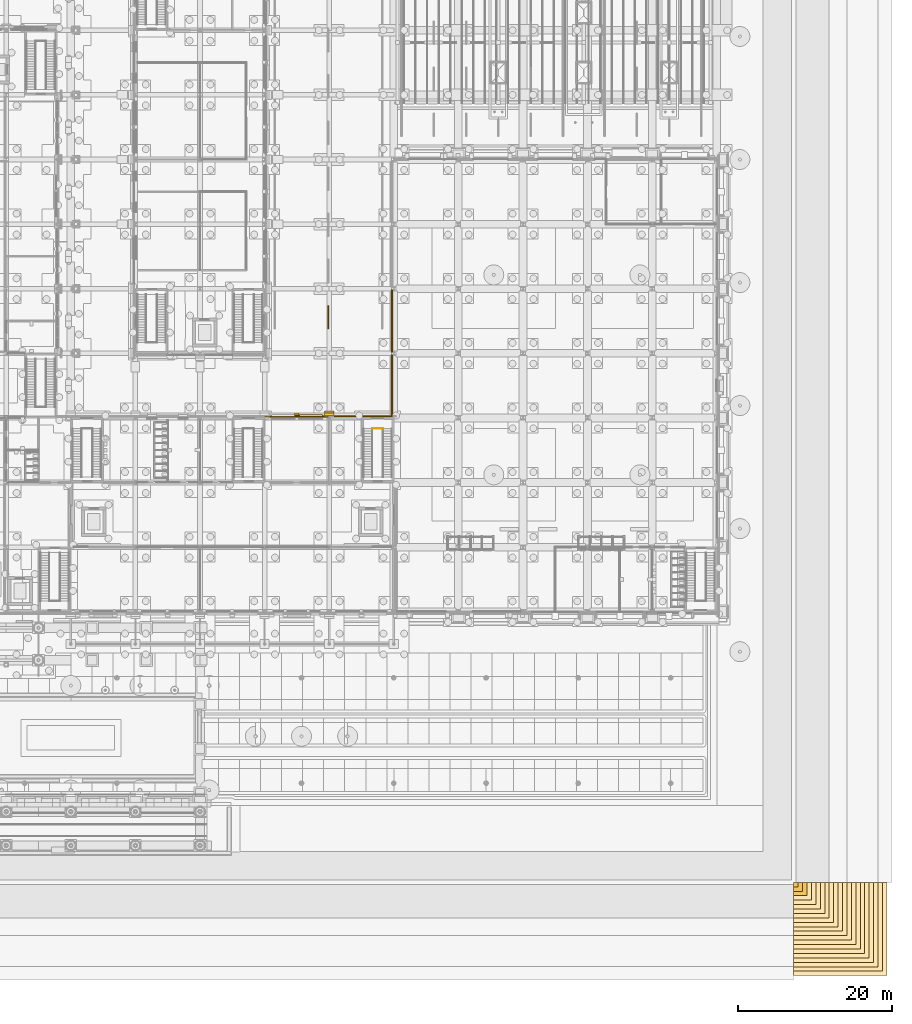
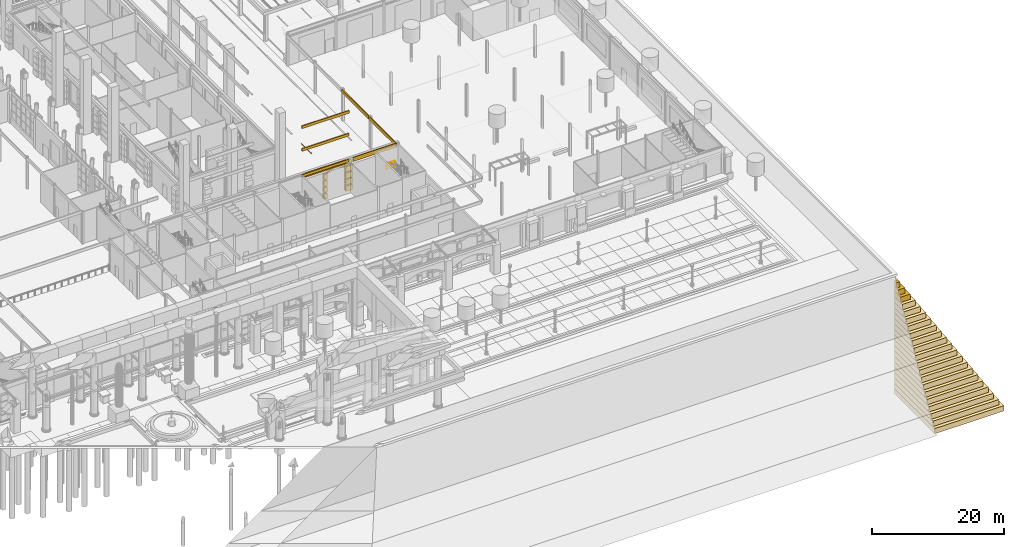
# One storey, part 165 of 222: 46 coverings, 1 railing.
"""IFC4 building model written with IfcOpenShell, lengths in metres."""

from ifc_helpers import new_model, si_unit, direction, frame, origin, origin_2d, place, context, subcontext, project, spatial, polyline, rectangle, circle, outline, extrude, material, layer, layer_set, type_object, element, save


model = new_model("IFC4")

# Units and contexts
model_context = context("Model", 3, precision=1e-05, world=origin(), true_north=direction((0.0, 1.0)))
body_context = subcontext(model_context, "Body", "Model", "MODEL_VIEW")
ifc_project = project(units=[si_unit("LENGTHUNIT", "METRE"), si_unit("AREAUNIT", "SQUARE_METRE"), si_unit("VOLUMEUNIT", "CUBIC_METRE"), si_unit("PLANEANGLEUNIT", "RADIAN"), si_unit("MASSUNIT", "GRAM", prefix="KILO")], contexts=[model_context])

# Site, building, storey
site_placement = place(None, origin())
site = spatial("IfcSite", under=ifc_project, at=site_placement, CompositionType="ELEMENT")
building_placement = place(site_placement, origin())
building = spatial("IfcBuilding", under=site, at=building_placement, Name="Sava Quay Ferry Terminal", CompositionType="ELEMENT")
storey_placement = place(building_placement, origin())
storey = spatial("IfcBuildingStorey", under=building, at=storey_placement, Name="L00", CompositionType="ELEMENT", Elevation=0.0)

# Covering
ifc_material_1 = material(Name="Limestone Mutalj", Category="masonry")
ifc_layer_1 = layer(ifc_material_1, 0.300048828125)
ifc_layer_set_1 = layer_set([ifc_layer_1], Name="Limestone Mutalj")
covering_type_1 = type_object("IfcCoveringType", Name="Arch band 280", PredefinedType="MOLDING", material=ifc_layer_set_1)
covering_1_placement = place(storey_placement, frame((113.699951171875, 50.56005859375, 4.5), z_axis=(0.0, -1.0, 0.0), x_axis=(0.782171011383, 0.0, 0.623063808091)))
element("IfcCovering", 1, at=covering_1_placement, inside=storey, type_object=covering_type_1, Name="Arch band", PredefinedType="MOLDING", context=body_context, shape_type="SweptSolid", body=[
    extrude(outline(polyline([(0.0, 0.0), (0.38361026394291897, 0.0), (0.7217380868167081, -0.05709695615317717), (1.025335762122964, -0.1575417686500708), (1.2993842465178647, -0.29468969183758004), (1.5471556480034832, -0.4652167214188082), (1.768763237235288, -0.6685888227670815), (1.9639027838382344, -0.9051879153215514), (2.1296840992494017, -1.178642233754159), (2.2607443073734594, -1.4952922933429613), (2.3465130341479634, -1.8691914242724625), (2.5760548521189226, -1.5810332074325149), (2.4648828890282157, -1.2390243496721793), (2.3190675077145073, -0.9408973828822342), (2.144615626614576, -0.6783277684654494), (1.9447605091984421, -0.4476484272178306), (1.7214796529038934, -0.24637688278489167), (1.475381518481019, -0.07374929628832916), (1.2060486048993058, 0.06931837820603115), (0.9111214952818136, 0.18064789471874781), (0.5877488455976752, 0.2562679436707819), (0.22954181797095916, 0.2881582168399477), (0.0, 0.0)])), origin(), (0.0, 0.0, -1.0), 0.300048828125),
])

# Railing
ifc_material_2 = material(Name="Steel S355", Category="steel")
railing_type = type_object("IfcRailingType", Name="Guard 1100", PredefinedType="GUARDRAIL", material=ifc_material_2)
railing_placement = place(storey_placement, frame((123.199951171875, 49.0, 3.0)))
element("IfcRailing", 2, at=railing_placement, inside=storey, type_object=railing_type, Name="Guard at half landing ST-P2 L00", PredefinedType="GUARDRAIL", context=body_context, shape_type="SweptSolid", body=[
    extrude(circle(Radius=0.02392578125, at=origin_2d()), frame((0.0, 0.0, 1.076171875), z_axis=(1.0, 0.0, 0.0), x_axis=(0.0, 1.0, 0.0)), (0.0, 0.0, 1.0), 1.400146484375),
    extrude(circle(Radius=0.02099609375, at=origin_2d()), origin(), (0.0, 0.0, 1.0), 1.052001953125),
    extrude(circle(Radius=0.02099609375, at=origin_2d()), frame((0.7001953125, 0.0, 0.0)), (0.0, 0.0, 1.0), 1.052001953125),
    extrude(circle(Radius=0.02099609375, at=origin_2d()), frame((1.400146484375, 0.0, 0.0)), (0.0, 0.0, 1.0), 1.052001953125),
])

# Coverings
ifc_material_3 = material(Name="Limestone Mutalj", Category="masonry")
ifc_layer_2 = layer(ifc_material_3, 0.14990234375)
ifc_layer_set_2 = layer_set([ifc_layer_2], Name="Limestone Mutalj")
covering_type_2 = type_object("IfcCoveringType", Name="Limestone string course 150", PredefinedType="CLADDING", material=ifc_layer_set_2)
covering_2_placement = place(storey_placement, frame((0.0, 0.0, 5.25)))
element("IfcCovering", 3, at=covering_2_placement, inside=storey, type_object=covering_type_2, Name="String course P-N", PredefinedType="CLADDING", context=body_context, shape_type="SweptSolid", body=[
    extrude(outline(polyline([(109.800048828125, 50.56005859375), (117.0, 50.56005859375), (117.0, 50.7099609375), (109.800048828125, 50.7099609375), (109.800048828125, 50.56005859375)])), origin(), (0.0, 0.0, 1.0), 0.75),
])
covering_3_placement = place(storey_placement, frame((0.0, 0.0, 5.25)))
element("IfcCovering", 4, at=covering_3_placement, inside=storey, type_object=covering_type_2, Name="String course P-N", PredefinedType="CLADDING", context=body_context, shape_type="SweptSolid", body=[
    extrude(outline(polyline([(118.199951171875, 50.56005859375), (125.85009765625, 50.56005859375), (125.85009765625, 50.7099609375), (118.199951171875, 50.7099609375), (118.199951171875, 50.56005859375)])), origin(), (0.0, 0.0, 1.0), 0.75),
])
ifc_material_4 = material(Name="Compacted gravel fill")
ifc_layer_3 = layer(ifc_material_4, 7.97998046875)
ifc_layer_set_3 = layer_set([ifc_layer_3], Name="Compacted gravel fill")
covering_type_3 = type_object("IfcCoveringType", Name="Made ground at quay level", PredefinedType="CLADDING", material=ifc_layer_set_3)
covering_4_placement = place(storey_placement, frame((178.288818359375, -10.288818359375, -2.02001953125), z_axis=(0.0, 0.0, 1.0), x_axis=(1.0, 0.0, 0.0)))
element("IfcCovering", 5, at=covering_4_placement, inside=storey, type_object=covering_type_3, Name="Made ground at quay level", PredefinedType="CLADDING", context=body_context, shape_type="SweptSolid", body=[
    extrude(rectangle(XDim=0.577392578125, YDim=0.577392578125, at=origin_2d()), origin(), (0.0, 0.0, 1.0), 1.0),
])
covering_5_placement = place(storey_placement, frame((178.577392578125, -10.577392578125, -3.02001953125), z_axis=(0.0, 0.0, 1.0), x_axis=(1.0, 0.0, 0.0)))
element("IfcCovering", 6, at=covering_5_placement, inside=storey, type_object=covering_type_3, Name="Made ground at quay level", PredefinedType="CLADDING", context=body_context, shape_type="SweptSolid", body=[
    extrude(rectangle(XDim=1.15478515625, YDim=1.15478515625, at=origin_2d()), origin(), (0.0, 0.0, 1.0), 1.0),
])
covering_6_placement = place(storey_placement, frame((178.865966796875, -10.865966796875, -4.02001953125), z_axis=(0.0, 0.0, 1.0), x_axis=(1.0, 0.0, 0.0)))
element("IfcCovering", 7, at=covering_6_placement, inside=storey, type_object=covering_type_3, Name="Made ground at quay level", PredefinedType="CLADDING", context=body_context, shape_type="SweptSolid", body=[
    extrude(rectangle(XDim=1.732177734375, YDim=1.732177734375, at=origin_2d()), origin(), (0.0, 0.0, 1.0), 1.0),
])
covering_7_placement = place(storey_placement, frame((179.15478515625, -11.15478515625, -5.02001953125), z_axis=(0.0, 0.0, 1.0), x_axis=(1.0, 0.0, 0.0)))
element("IfcCovering", 8, at=covering_7_placement, inside=storey, type_object=covering_type_3, Name="Made ground at quay level", PredefinedType="CLADDING", context=body_context, shape_type="SweptSolid", body=[
    extrude(rectangle(XDim=2.309326171875, YDim=2.309326171875, at=origin_2d()), origin(), (0.0, 0.0, 1.0), 1.0),
])
covering_8_placement = place(storey_placement, frame((179.443359375, -11.443359375, -6.02001953125), z_axis=(0.0, 0.0, 1.0), x_axis=(1.0, 0.0, 0.0)))
element("IfcCovering", 9, at=covering_8_placement, inside=storey, type_object=covering_type_3, Name="Made ground at quay level", PredefinedType="CLADDING", context=body_context, shape_type="SweptSolid", body=[
    extrude(rectangle(XDim=2.88671875, YDim=2.88671875, at=origin_2d()), origin(), (0.0, 0.0, 1.0), 1.0),
])
covering_9_placement = place(storey_placement, frame((179.732177734375, -11.732177734375, -7.02001953125), z_axis=(0.0, 0.0, 1.0), x_axis=(1.0, 0.0, 0.0)))
element("IfcCovering", 10, at=covering_9_placement, inside=storey, type_object=covering_type_3, Name="Made ground at quay level", PredefinedType="CLADDING", context=body_context, shape_type="SweptSolid", body=[
    extrude(rectangle(XDim=3.464111328125, YDim=3.464111328125, at=origin_2d()), origin(), (0.0, 0.0, 1.0), 1.0),
])
covering_10_placement = place(storey_placement, frame((180.020751953125, -12.020751953125, -8.0), z_axis=(0.0, 0.0, 1.0), x_axis=(1.0, 0.0, 0.0)))
element("IfcCovering", 11, at=covering_10_placement, inside=storey, type_object=covering_type_3, Name="Made ground at quay level", PredefinedType="CLADDING", context=body_context, shape_type="SweptSolid", body=[
    extrude(rectangle(XDim=4.04150390625, YDim=4.04150390625, at=origin_2d()), origin(), (0.0, 0.0, 1.0), 0.97998046875),
])
ifc_material_5 = material(Name="Marl")
ifc_layer_4 = layer(ifc_material_5, 3.0)
ifc_layer_set_4 = layer_set([ifc_layer_4], Name="Marl")
covering_type_4 = type_object("IfcCoveringType", Name="Marl", PredefinedType="CLADDING", material=ifc_layer_set_4)
covering_11_placement = place(storey_placement, frame((183.48486328125, -15.48486328125, -20.02001953125), z_axis=(0.0, 0.0, 1.0), x_axis=(1.0, 0.0, 0.0)))
element("IfcCovering", 12, at=covering_11_placement, inside=storey, type_object=covering_type_4, Name="Marl", PredefinedType="CLADDING", context=body_context, shape_type="SweptSolid", body=[
    extrude(rectangle(XDim=10.9697265625, YDim=10.9697265625, at=origin_2d()), origin(), (0.0, 0.0, 1.0), 1.0),
])
covering_12_placement = place(storey_placement, frame((183.7734375, -15.7734375, -21.02001953125), z_axis=(0.0, 0.0, 1.0), x_axis=(1.0, 0.0, 0.0)))
element("IfcCovering", 13, at=covering_12_placement, inside=storey, type_object=covering_type_4, Name="Marl", PredefinedType="CLADDING", context=body_context, shape_type="SweptSolid", body=[
    extrude(rectangle(XDim=11.547119140625, YDim=11.547119140625, at=origin_2d()), origin(), (0.0, 0.0, 1.0), 1.0),
])
covering_13_placement = place(storey_placement, frame((184.062255859375, -16.062255859375, -22.0), z_axis=(0.0, 0.0, 1.0), x_axis=(1.0, 0.0, 0.0)))
element("IfcCovering", 14, at=covering_13_placement, inside=storey, type_object=covering_type_4, Name="Marl", PredefinedType="CLADDING", context=body_context, shape_type="SweptSolid", body=[
    extrude(rectangle(XDim=12.12451171875, YDim=12.12451171875, at=origin_2d()), origin(), (0.0, 0.0, 1.0), 0.97998046875),
])
ifc_material_6 = material(Name="Road marking paint")
ifc_layer_5 = layer(ifc_material_6, 0.02001953125)
ifc_layer_set_5 = layer_set([ifc_layer_5], Name="Road marking paint")
covering_type_5 = type_object("IfcCoveringType", Name="Road marking line 150", PredefinedType="FLOORING", material=ifc_layer_set_5)
covering_14_placement = place(storey_placement, origin())
element("IfcCovering", 15, at=covering_14_placement, inside=storey, type_object=covering_type_5, Name="Road marking line", PredefinedType="FLOORING", context=body_context, shape_type="SweptSolid", body=[
    extrude(outline(polyline([(117.574951171875, 65.0), (117.425048828125, 65.0), (117.425048828125, 62.0), (117.574951171875, 62.0), (117.574951171875, 65.0)])), origin(), (0.0, 0.0, 1.0), 0.02001953125),
])
ifc_material_7 = material(Name="Limestone Mutalj", Category="masonry")
ifc_layer_6 = layer(ifc_material_7, 0.300048828125)
ifc_layer_set_6 = layer_set([ifc_layer_6], Name="Limestone Mutalj")
covering_type_6 = type_object("IfcCoveringType", Name="Rusticated course deepening 300", PredefinedType="CLADDING", material=ifc_layer_set_6)
for number, where, z_axis, x_axis, name in (
    (16, (117.60009765625, 51.159912109375, 0.0), (0.0, 0.0, 1.0), (1.0, 0.0, 0.0), "Rusticated course deepening"),
    (17, (117.60009765625, 51.159912109375, 1.199951171875), (0.0, 0.0, 1.0), (1.0, 0.0, 0.0), "Rusticated course deepening"),
    (18, (117.60009765625, 51.159912109375, 2.39990234375), (0.0, 0.0, 1.0), (1.0, 0.0, 0.0), "Rusticated course deepening"),
    (19, (117.60009765625, 51.159912109375, 3.60009765625), (0.0, 0.0, 1.0), (1.0, 0.0, 0.0), "Rusticated course deepening"),
):
    element("IfcCovering", number, at=place(storey_placement, frame(where, z_axis=z_axis, x_axis=x_axis)), inside=storey, type_object=covering_type_6, Name=name, PredefinedType="CLADDING", context=body_context, shape_type="SweptSolid", body=[
        extrude(rectangle(XDim=1.199951171875, YDim=0.300048828125, at=origin_2d()), origin(), (0.0, 0.0, 1.0), 1.0),
    ])
for number, where, z_axis, x_axis, name in (
    (20, (113.39990234375, 50.909912109375, 0.0), (0.0, 0.0, 1.0), (1.0, 0.0, 0.0), "Rusticated course deepening"),
    (21, (113.39990234375, 50.909912109375, 1.199951171875), (0.0, 0.0, 1.0), (1.0, 0.0, 0.0), "Rusticated course deepening"),
    (22, (113.39990234375, 50.909912109375, 2.39990234375), (0.0, 0.0, 1.0), (1.0, 0.0, 0.0), "Rusticated course deepening"),
    (23, (113.39990234375, 50.909912109375, 3.60009765625), (0.0, 0.0, 1.0), (1.0, 0.0, 0.0), "Rusticated course deepening"),
):
    element("IfcCovering", number, at=place(storey_placement, frame(where, z_axis=z_axis, x_axis=x_axis)), inside=storey, type_object=covering_type_6, Name=name, PredefinedType="CLADDING", context=body_context, shape_type="SweptSolid", body=[
        extrude(rectangle(XDim=0.60009765625, YDim=0.300048828125, at=origin_2d()), origin(), (0.0, 0.0, 1.0), 1.0),
    ])
ifc_material_8 = material(Name="Limestone Mutalj", Category="masonry")
ifc_layer_7 = layer(ifc_material_8, 0.300048828125)
ifc_layer_set_7 = layer_set([ifc_layer_7], Name="Limestone Mutalj")
covering_type_7 = type_object("IfcCoveringType", Name="Rusticated pier course 300", PredefinedType="CLADDING", material=ifc_layer_set_7)
for number, where, z_axis, x_axis, name in (
    (24, (117.60009765625, 50.860107421875, 0.0), (0.0, 0.0, 1.0), (1.0, 0.0, 0.0), "Rusticated pier course"),
    (25, (117.60009765625, 50.860107421875, 1.199951171875), (0.0, 0.0, 1.0), (1.0, 0.0, 0.0), "Rusticated pier course"),
    (26, (117.60009765625, 50.860107421875, 2.39990234375), (0.0, 0.0, 1.0), (1.0, 0.0, 0.0), "Rusticated pier course"),
    (27, (117.60009765625, 50.860107421875, 3.60009765625), (0.0, 0.0, 1.0), (1.0, 0.0, 0.0), "Rusticated pier course"),
):
    element("IfcCovering", number, at=place(storey_placement, frame(where, z_axis=z_axis, x_axis=x_axis)), inside=storey, type_object=covering_type_7, Name=name, PredefinedType="CLADDING", context=body_context, shape_type="SweptSolid", body=[
        extrude(rectangle(XDim=1.199951171875, YDim=0.300048828125, at=origin_2d()), origin(), (0.0, 0.0, 1.0), 1.0),
    ])
ifc_material_9 = material(Name="Limestone Mutalj", Category="masonry")
ifc_layer_8 = layer(ifc_material_9, 0.199951171875)
ifc_layer_set_8 = layer_set([ifc_layer_8], Name="Limestone Mutalj")
covering_type_8 = type_object("IfcCoveringType", Name="Rusticated wall course 200", PredefinedType="CLADDING", material=ifc_layer_set_8)
for number, where, z_axis, x_axis, name in (
    (28, (113.39990234375, 50.659912109375, 0.0), (0.0, 0.0, 1.0), (1.0, 0.0, 0.0), "Rusticated wall course"),
    (29, (113.39990234375, 50.659912109375, 1.199951171875), (0.0, 0.0, 1.0), (1.0, 0.0, 0.0), "Rusticated wall course"),
    (30, (113.39990234375, 50.659912109375, 2.39990234375), (0.0, 0.0, 1.0), (1.0, 0.0, 0.0), "Rusticated wall course"),
    (31, (113.39990234375, 50.659912109375, 3.60009765625), (0.0, 0.0, 1.0), (1.0, 0.0, 0.0), "Rusticated wall course"),
):
    element("IfcCovering", number, at=place(storey_placement, frame(where, z_axis=z_axis, x_axis=x_axis)), inside=storey, type_object=covering_type_8, Name=name, PredefinedType="CLADDING", context=body_context, shape_type="SweptSolid", body=[
        extrude(rectangle(XDim=0.60009765625, YDim=0.199951171875, at=origin_2d()), origin(), (0.0, 0.0, 1.0), 1.0),
    ])
ifc_material_10 = material(Name="Sand and gravel")
ifc_layer_9 = layer(ifc_material_10, 7.0)
ifc_layer_set_9 = layer_set([ifc_layer_9], Name="Sand and gravel")
covering_type_9 = type_object("IfcCoveringType", Name="Sand and gravel", PredefinedType="CLADDING", material=ifc_layer_set_9)
covering_15_placement = place(storey_placement, frame((181.464111328125, -13.464111328125, -13.02001953125), z_axis=(0.0, 0.0, 1.0), x_axis=(1.0, 0.0, 0.0)))
element("IfcCovering", 32, at=covering_15_placement, inside=storey, type_object=covering_type_9, Name="Sand and gravel", PredefinedType="CLADDING", context=body_context, shape_type="SweptSolid", body=[
    extrude(rectangle(XDim=6.92822265625, YDim=6.92822265625, at=origin_2d()), origin(), (0.0, 0.0, 1.0), 1.0),
])
covering_16_placement = place(storey_placement, frame((181.752685546875, -13.752685546875, -14.02001953125), z_axis=(0.0, 0.0, 1.0), x_axis=(1.0, 0.0, 0.0)))
element("IfcCovering", 33, at=covering_16_placement, inside=storey, type_object=covering_type_9, Name="Sand and gravel", PredefinedType="CLADDING", context=body_context, shape_type="SweptSolid", body=[
    extrude(rectangle(XDim=7.505615234375, YDim=7.505615234375, at=origin_2d()), origin(), (0.0, 0.0, 1.0), 1.0),
])
covering_17_placement = place(storey_placement, frame((182.04150390625, -14.04150390625, -15.02001953125), z_axis=(0.0, 0.0, 1.0), x_axis=(1.0, 0.0, 0.0)))
element("IfcCovering", 34, at=covering_17_placement, inside=storey, type_object=covering_type_9, Name="Sand and gravel", PredefinedType="CLADDING", context=body_context, shape_type="SweptSolid", body=[
    extrude(rectangle(XDim=8.0830078125, YDim=8.0830078125, at=origin_2d()), origin(), (0.0, 0.0, 1.0), 1.0),
])
covering_18_placement = place(storey_placement, frame((182.330078125, -14.330078125, -16.02001953125), z_axis=(0.0, 0.0, 1.0), x_axis=(1.0, 0.0, 0.0)))
element("IfcCovering", 35, at=covering_18_placement, inside=storey, type_object=covering_type_9, Name="Sand and gravel", PredefinedType="CLADDING", context=body_context, shape_type="SweptSolid", body=[
    extrude(rectangle(XDim=8.660400390625, YDim=8.660400390625, at=origin_2d()), origin(), (0.0, 0.0, 1.0), 1.0),
])
covering_19_placement = place(storey_placement, frame((182.618896484375, -14.618896484375, -17.02001953125), z_axis=(0.0, 0.0, 1.0), x_axis=(1.0, 0.0, 0.0)))
element("IfcCovering", 36, at=covering_19_placement, inside=storey, type_object=covering_type_9, Name="Sand and gravel", PredefinedType="CLADDING", context=body_context, shape_type="SweptSolid", body=[
    extrude(rectangle(XDim=9.237548828125, YDim=9.237548828125, at=origin_2d()), origin(), (0.0, 0.0, 1.0), 1.0),
])
covering_20_placement = place(storey_placement, frame((182.907470703125, -14.907470703125, -18.02001953125), z_axis=(0.0, 0.0, 1.0), x_axis=(1.0, 0.0, 0.0)))
element("IfcCovering", 37, at=covering_20_placement, inside=storey, type_object=covering_type_9, Name="Sand and gravel", PredefinedType="CLADDING", context=body_context, shape_type="SweptSolid", body=[
    extrude(rectangle(XDim=9.81494140625, YDim=9.81494140625, at=origin_2d()), origin(), (0.0, 0.0, 1.0), 1.0),
])
covering_21_placement = place(storey_placement, frame((183.1962890625, -15.1962890625, -19.0), z_axis=(0.0, 0.0, 1.0), x_axis=(1.0, 0.0, 0.0)))
element("IfcCovering", 38, at=covering_21_placement, inside=storey, type_object=covering_type_9, Name="Sand and gravel", PredefinedType="CLADDING", context=body_context, shape_type="SweptSolid", body=[
    extrude(rectangle(XDim=10.392333984375, YDim=10.392333984375, at=origin_2d()), origin(), (0.0, 0.0, 1.0), 0.97998046875),
])
ifc_material_11 = material(Name="Silty and sandy clay")
ifc_layer_10 = layer(ifc_material_11, 4.0)
ifc_layer_set_10 = layer_set([ifc_layer_10], Name="Silty and sandy clay")
covering_type_10 = type_object("IfcCoveringType", Name="Silty and sandy clay", PredefinedType="CLADDING", material=ifc_layer_set_10)
covering_22_placement = place(storey_placement, frame((180.309326171875, -12.309326171875, -9.02001953125), z_axis=(0.0, 0.0, 1.0), x_axis=(1.0, 0.0, 0.0)))
element("IfcCovering", 39, at=covering_22_placement, inside=storey, type_object=covering_type_10, Name="Silty and sandy clay", PredefinedType="CLADDING", context=body_context, shape_type="SweptSolid", body=[
    extrude(rectangle(XDim=4.618896484375, YDim=4.618896484375, at=origin_2d()), origin(), (0.0, 0.0, 1.0), 1.0),
])
covering_23_placement = place(storey_placement, frame((180.59814453125, -12.59814453125, -10.02001953125), z_axis=(0.0, 0.0, 1.0), x_axis=(1.0, 0.0, 0.0)))
element("IfcCovering", 40, at=covering_23_placement, inside=storey, type_object=covering_type_10, Name="Silty and sandy clay", PredefinedType="CLADDING", context=body_context, shape_type="SweptSolid", body=[
    extrude(rectangle(XDim=5.1962890625, YDim=5.1962890625, at=origin_2d()), origin(), (0.0, 0.0, 1.0), 1.0),
])
covering_24_placement = place(storey_placement, frame((180.88671875, -12.88671875, -11.02001953125), z_axis=(0.0, 0.0, 1.0), x_axis=(1.0, 0.0, 0.0)))
element("IfcCovering", 41, at=covering_24_placement, inside=storey, type_object=covering_type_10, Name="Silty and sandy clay", PredefinedType="CLADDING", context=body_context, shape_type="SweptSolid", body=[
    extrude(rectangle(XDim=5.7734375, YDim=5.7734375, at=origin_2d()), origin(), (0.0, 0.0, 1.0), 1.0),
])
covering_25_placement = place(storey_placement, frame((181.17529296875, -13.17529296875, -12.0), z_axis=(0.0, 0.0, 1.0), x_axis=(1.0, 0.0, 0.0)))
element("IfcCovering", 42, at=covering_25_placement, inside=storey, type_object=covering_type_10, Name="Silty and sandy clay", PredefinedType="CLADDING", context=body_context, shape_type="SweptSolid", body=[
    extrude(rectangle(XDim=6.350830078125, YDim=6.350830078125, at=origin_2d()), origin(), (0.0, 0.0, 1.0), 0.97998046875),
])
ifc_material_12 = material(Name="Limestone Mutalj", Category="masonry")
ifc_layer_11 = layer(ifc_material_12, 0.14990234375)
ifc_layer_set_11 = layer_set([ifc_layer_11], Name="Limestone Mutalj")
covering_type_11 = type_object("IfcCoveringType", Name="Slab edge fascia 150", PredefinedType="CLADDING", material=ifc_layer_set_11)
covering_26_placement = place(storey_placement, frame((0.0, 0.0, 5.510009765625)))
element("IfcCovering", 43, at=covering_26_placement, inside=storey, type_object=covering_type_11, Name="Slab edge fascia", PredefinedType="CLADDING", context=body_context, shape_type="SweptSolid", body=[
    extrude(outline(polyline([(109.199951171875, 50.633056640625), (109.199951171875, 50.48291015625), (117.449951171875, 50.48291015625), (117.449951171875, 50.633056640625), (109.199951171875, 50.633056640625)])), origin(), (0.0, 0.0, 1.0), 0.489990234375),
])
covering_27_placement = place(storey_placement, frame((0.0, 0.0, 5.39990234375)))
element("IfcCovering", 44, at=covering_27_placement, inside=storey, type_object=covering_type_11, Name="Slab edge fascia", PredefinedType="CLADDING", context=body_context, shape_type="SweptSolid", body=[
    extrude(outline(polyline([(125.701904296875, 58.639892578125), (125.701904296875, 50.52001953125), (125.85205078125, 50.52001953125), (125.85205078125, 58.639892578125), (125.701904296875, 58.639892578125)])), origin(), (0.0, 0.0, 1.0), 0.60009765625),
])
covering_28_placement = place(storey_placement, frame((0.0, 0.0, 5.39990234375)))
element("IfcCovering", 45, at=covering_28_placement, inside=storey, type_object=covering_type_11, Name="Slab edge fascia", PredefinedType="CLADDING", context=body_context, shape_type="SweptSolid", body=[
    extrude(outline(polyline([(125.701904296875, 58.9599609375), (125.85205078125, 58.9599609375), (125.85205078125, 67.0400390625), (125.701904296875, 67.0400390625), (125.701904296875, 58.9599609375)])), origin(), (0.0, 0.0, 1.0), 0.60009765625),
])
covering_29_placement = place(storey_placement, frame((0.0, 0.0, 10.31005859375)))
element("IfcCovering", 46, at=covering_29_placement, inside=storey, type_object=covering_type_11, Name="Slab edge fascia", PredefinedType="CLADDING", context=body_context, shape_type="SweptSolid", body=[
    extrude(outline(polyline([(109.199951171875, 50.633056640625), (109.199951171875, 50.48291015625), (117.449951171875, 50.48291015625), (117.449951171875, 50.633056640625), (109.199951171875, 50.633056640625)])), origin(), (0.0, 0.0, 1.0), 0.489990234375),
])
covering_30_placement = place(storey_placement, frame((0.0, 0.0, 14.510009765625)))
element("IfcCovering", 47, at=covering_30_placement, inside=storey, type_object=covering_type_11, Name="Slab edge fascia", PredefinedType="CLADDING", context=body_context, shape_type="SweptSolid", body=[
    extrude(outline(polyline([(109.199951171875, 50.633056640625), (109.199951171875, 50.48291015625), (117.469970703125, 50.48291015625), (117.469970703125, 50.633056640625), (109.199951171875, 50.633056640625)])), origin(), (0.0, 0.0, 1.0), 0.489990234375),
])

save(model, "model.ifc")
